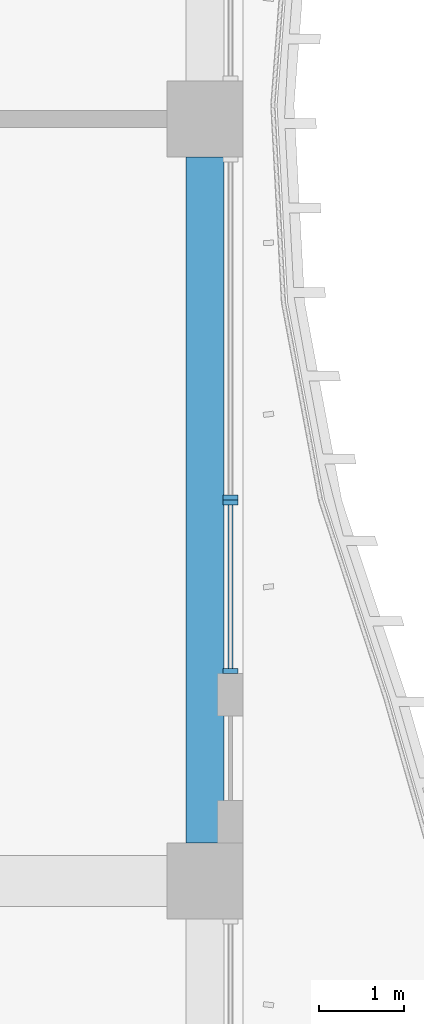
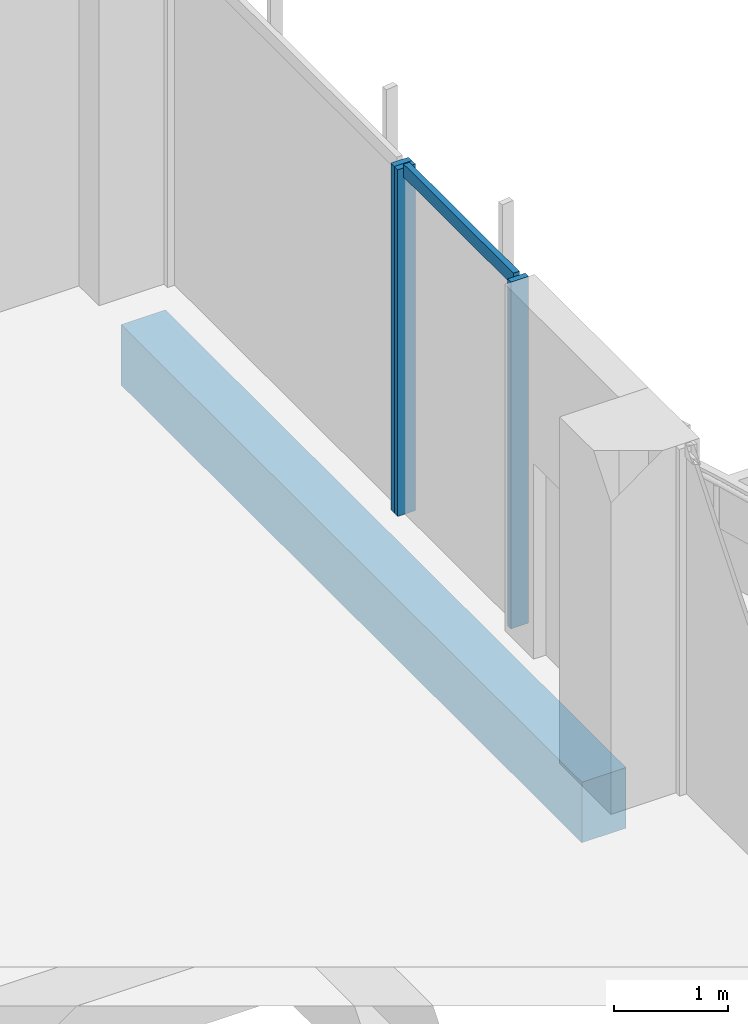
# One storey, part 8 of 26: 4 members, 1 beam, 2 elements without a shape of their own.
"""IFC4 building model written with IfcOpenShell, lengths in metres."""

from ifc_helpers import new_model, si_unit, direction, frame, origin, origin_2d, place, context, subcontext, project, spatial, rectangle, extrude, source, transform, mapped, material, material_profile, profile_set, type_object, element, aggregate, save


model = new_model("IFC4")

# Units and contexts
model_context = context("Model", 3, precision=1e-05, world=origin(), true_north=direction((0.0, 1.0)))
body_context = subcontext(model_context, "Body", "Model", "MODEL_VIEW")
ifc_project = project(units=[si_unit("LENGTHUNIT", "METRE"), si_unit("AREAUNIT", "SQUARE_METRE"), si_unit("VOLUMEUNIT", "CUBIC_METRE"), si_unit("PLANEANGLEUNIT", "RADIAN"), si_unit("MASSUNIT", "GRAM", prefix="KILO")], contexts=[model_context])

# Site, building, storey
site_placement = place(None, origin())
site = spatial("IfcSite", under=ifc_project, at=site_placement, CompositionType="ELEMENT")
building_placement = place(site_placement, origin())
building = spatial("IfcBuilding", under=site, at=building_placement, Name="Kilnfold Tower and Market Hall", CompositionType="ELEMENT")
storey_placement = place(building_placement, frame((0.0, 0.0, 31.0)))
storey = spatial("IfcBuildingStorey", under=building, at=storey_placement, Name="L06", CompositionType="ELEMENT", Elevation=31.0)

# Beam
ifc_material_1 = material(Name="Concrete C45", Category="concrete")
ifc_material_profile_1 = material_profile(ifc_material_1, rectangle(XDim=0.449951171875, YDim=0.64990234375, at=origin_2d()), Name="RC 450x650")
ifc_profile_set_1 = profile_set([ifc_material_profile_1], Name="Concrete C45")
beam_type = type_object("IfcBeamType", Name="EDGE BEAM 450X650 C45", PredefinedType="BEAM", material=ifc_profile_set_1)
shared_shape_1 = source(origin(), body_context, "Body", "SweptSolid", [
    extrude(rectangle(XDim=0.449951171875, YDim=0.64990234375, at=origin_2d()), origin(), (0.0, 0.0, 1.0), 8.10009765625),
])
beam_placement = place(storey_placement, frame((27.550048828125, -0.550048828125, -0.60498046875), z_axis=(0.0, 1.0, 0.0), x_axis=(-1.0, 0.0, 0.0)))
element("IfcBeam", 1, at=beam_placement, inside=storey, type_object=beam_type, Name="Beam EB650-B1.53", PredefinedType="BEAM", context=body_context, shape_type="MappedRepresentation", body=[
    mapped(shared_shape_1, transform((0.0, 0.0, 0.0))),
])

# Curtain wall, members
ifc_material_2 = material(Name="Aluminium and double glazing", Category="aluminium")
curtain_wall_type = type_object("IfcCurtainWallType", Name="CW OF1 VALLEY GLAZING", PredefinedType="NOTDEFINED", material=ifc_material_2)
curtain_wall_1_placement = place(storey_placement, origin())
curtain_wall_1 = element("IfcCurtainWall", 2, at=curtain_wall_1_placement, inside=storey, type_object=curtain_wall_type, Name="Curtain wall CW1 L06 E", PredefinedType="NOTDEFINED")
ifc_material_3 = material(Name="Aluminium", Category="aluminium")
ifc_material_profile_2 = material_profile(ifc_material_3, rectangle(XDim=0.06005859375, YDim=0.179931640625, at=origin_2d()), Name="MULLION 60x180")
ifc_profile_set_2 = profile_set([ifc_material_profile_2], Name="Aluminium")
member_type_1 = type_object("IfcMemberType", Name="MULLION 60X180", PredefinedType="MULLION", material=ifc_profile_set_2)
shared_shape_2 = source(origin(), body_context, "Body", "SweptSolid", [
    extrude(rectangle(XDim=0.06005859375, YDim=0.179931640625, at=origin_2d()), origin(), (0.0, 0.0, 1.0), 3.719970703125),
])
member_1_placement = place(storey_placement, frame((27.85009765625, 1.47998046875, 0.0), z_axis=(0.0, 0.0, 1.0), x_axis=(0.0, 1.0, 0.0)))
member_1 = element("IfcMember", 3, at=member_1_placement, type_object=member_type_1, Name="CW1 mullion 1", PredefinedType="MULLION", context=body_context, shape_type="MappedRepresentation", body=[
    mapped(shared_shape_2, transform((0.0, 0.0, 0.0))),
])
member_2_placement = place(storey_placement, frame((27.85009765625, 3.469970703125, 0.0), z_axis=(0.0, 0.0, 1.0), x_axis=(0.0, 1.0, 0.0)))
member_2 = element("IfcMember", 4, at=member_2_placement, type_object=member_type_1, Name="CW1 mullion 2", PredefinedType="MULLION", context=body_context, shape_type="MappedRepresentation", body=[
    mapped(shared_shape_2, transform((0.0, 0.0, 0.0))),
])

# Curtain wall, member
curtain_wall_2_placement = place(storey_placement, origin())
curtain_wall_2 = element("IfcCurtainWall", 5, at=curtain_wall_2_placement, inside=storey, type_object=curtain_wall_type, Name="Curtain wall CW1 L06 E", PredefinedType="NOTDEFINED")
member_3_placement = place(storey_placement, frame((27.85009765625, 3.530029296875, 0.0), z_axis=(0.0, 0.0, 1.0), x_axis=(0.0, 1.0, 0.0)))
member_3 = element("IfcMember", 6, at=member_3_placement, type_object=member_type_1, Name="CW1 mullion 1", PredefinedType="MULLION", context=body_context, shape_type="MappedRepresentation", body=[
    mapped(shared_shape_2, transform((0.0, 0.0, 0.0))),
])
aggregate(curtain_wall_2, [member_3])

# Member
ifc_material_4 = material(Name="Aluminium", Category="aluminium")
ifc_material_profile_3 = material_profile(ifc_material_4, rectangle(XDim=0.06005859375, YDim=0.139892578125, at=origin_2d()), Name="TRANSOM 60x140")
ifc_profile_set_3 = profile_set([ifc_material_profile_3], Name="Aluminium")
member_type_2 = type_object("IfcMemberType", Name="TRANSOM 60X140", PredefinedType="USERDEFINED", material=ifc_profile_set_3)
shared_shape_3 = source(origin(), body_context, "Body", "SweptSolid", [
    extrude(rectangle(XDim=0.06005859375, YDim=0.139892578125, at=origin_2d()), origin(), (0.0, 0.0, 1.0), 1.929931640625),
])
member_4_placement = place(storey_placement, frame((27.85009765625, 1.510009765625, 3.68994140625), z_axis=(0.0, 1.0, 0.0), x_axis=(-1.0, 0.0, 0.0)))
member_4 = element("IfcMember", 7, at=member_4_placement, type_object=member_type_2, Name="CW1 transom 1.2", ObjectType="TRANSOM", PredefinedType="USERDEFINED", context=body_context, shape_type="MappedRepresentation", body=[
    mapped(shared_shape_3, transform((0.0, 0.0, 0.0))),
])

aggregate(curtain_wall_1, [member_1, member_2, member_4])

save(model, "model.ifc")
